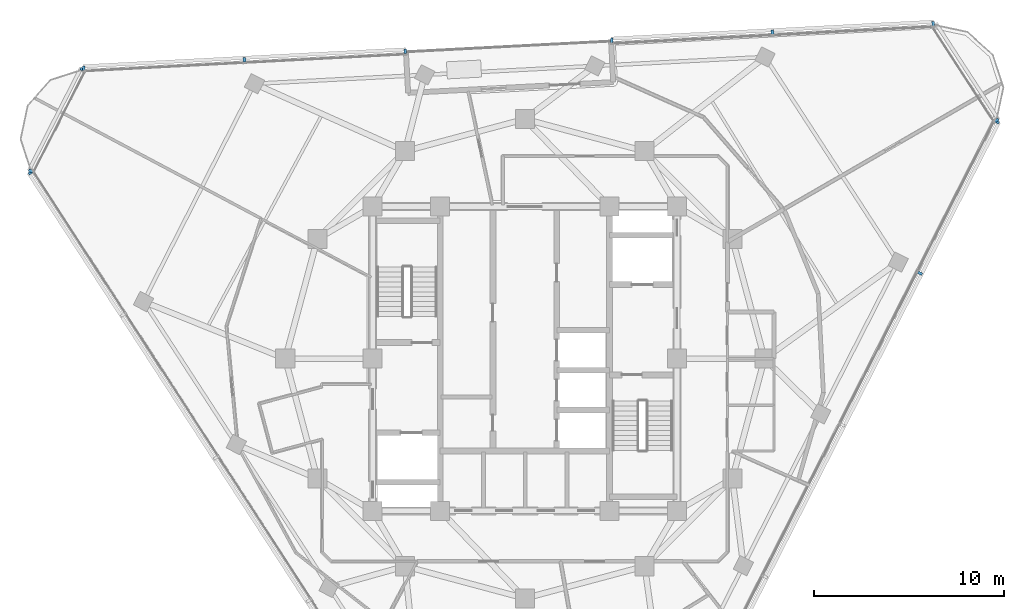
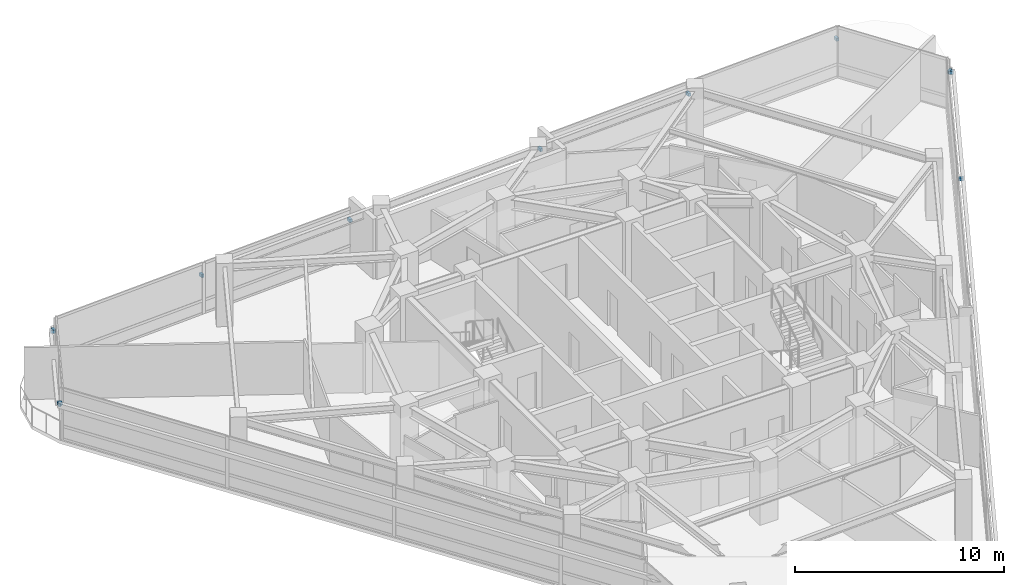
# One storey, part 11 of 15: 12 discrete accessories.
"""IFC4 building model written with IfcOpenShell, lengths in metres."""

from ifc_helpers import new_model, si_unit, direction, frame, origin, origin_2d, place, context, subcontext, project, spatial, rectangle, extrude, material, type_object, element, save


model = new_model("IFC4")

# Units and contexts
model_context = context("Model", 3, precision=1e-05, world=origin(), true_north=direction((0.0, 1.0)))
body_context = subcontext(model_context, "Body", "Model", "MODEL_VIEW")
ifc_project = project(units=[si_unit("LENGTHUNIT", "METRE"), si_unit("AREAUNIT", "SQUARE_METRE"), si_unit("VOLUMEUNIT", "CUBIC_METRE"), si_unit("PLANEANGLEUNIT", "RADIAN"), si_unit("MASSUNIT", "GRAM", prefix="KILO")], contexts=[model_context])

# Site, building, storey
site_placement = place(None, origin())
site = spatial("IfcSite", under=ifc_project, at=site_placement, CompositionType="ELEMENT")
building_placement = place(site_placement, origin())
building = spatial("IfcBuilding", under=site, at=building_placement, Name="Terralouvre Media Tower", CompositionType="ELEMENT")
storey_placement = place(building_placement, frame((0.0, 0.0, 270.699951171875)))
storey = spatial("IfcBuildingStorey", under=building, at=storey_placement, Name="L70", CompositionType="ELEMENT", Elevation=270.699951171875)

# Discrete accessories
ifc_material = material(Name="Anodised extruded aluminium 6063-T6", Category="aluminium")
discrete_accessory_type = type_object("IfcDiscreteAccessoryType", Name="Mullion Stand-Off Baguette Fixing Bracket BK-01", PredefinedType="BRACKET", material=ifc_material)
for number, where, z_axis, x_axis, name in (
    (1, (20.77880859375, 4.49658203125, 2.07421875), (0.0, 0.0, 1.0), (0.45399044259, 0.891006553308, 0.0), "CW-L70-F0 Baguette Outrigger Bracket 1.05"),
    (2, (24.82958984375, 12.44677734375, 2.07421875), (0.0, 0.0, 1.0), (0.45399044259, 0.891006553308, 0.0), "CW-L70-F0 Baguette Outrigger Bracket 1.06"),
    (3, (21.4697265625, 17.620361328125, 2.07421875), (0.0, 0.0, 1.0), (-0.998629509147, -0.052336444858, 0.0), "CW-L70-F1L Baguette Outrigger Bracket 1.01"),
    (4, (13.018798828125, 17.177490234375, 2.07421875), (0.0, 0.0, 1.0), (-0.998629509147, -0.052336444858, 0.0), "CW-L70-F1L Baguette Outrigger Bracket 1.02"),
    (5, (4.56787109375, 16.734619140625, 2.07421875), (0.0, 0.0, 1.0), (-0.998629509147, -0.052336444858, 0.0), "CW-L70-F1L Baguette Outrigger Bracket 1.03"),
    (6, (-6.292236328125, 16.16552734375, 2.07421875), (0.0, 0.0, 1.0), (-0.998629536668, -0.052335919728, 0.0), "CW-L70-F1R Baguette Outrigger Bracket 1.01"),
    (7, (-14.7431640625, 15.72265625, 2.07421875), (0.0, 0.0, 1.0), (-0.998629536668, -0.052335919728, 0.0), "CW-L70-F1R Baguette Outrigger Bracket 1.02"),
    (8, (-23.194091796875, 15.27978515625, 2.07421875), (0.0, 0.0, 1.0), (-0.998629536668, -0.052335919728, 0.0), "CW-L70-F1R Baguette Outrigger Bracket 1.03"),
    (9, (-25.99462890625, 9.783203125, 2.07421875), (0.0, 0.0, 1.0), (0.544639069077, -0.838670545826, 0.0), "CW-L70-F2 Baguette Outrigger Bracket 1.01"),
    (10, (24.807373046875, 12.54052734375, 2.07421875), (0.0, 0.0, 1.0), (-0.544639197097, 0.838670462688, 0.0), "CW-L70-C1 Baguette Outrigger Bracket 1.01"),
    (11, (-23.26416015625, 15.21337890625, 2.07421875), (0.0, 0.0, 1.0), (-0.453990349937, -0.891006600517, 0.0), "CW-L70-C2 Baguette Outrigger Bracket 1.01"),
    (12, (-25.982177734375, 9.87890625, 2.07421875), (0.0, 0.0, 1.0), (-0.453990349937, -0.891006600517, 0.0), "CW-L70-C2 Baguette Outrigger Bracket 1.02"),
):
    element("IfcDiscreteAccessory", number, at=place(storey_placement, frame(where, z_axis=z_axis, x_axis=x_axis)), inside=storey, type_object=discrete_accessory_type, Name=name, PredefinedType="BRACKET", context=body_context, shape_type="SweptSolid", body=[
        extrude(rectangle(XDim=0.139892578125, YDim=0.239990234375, at=origin_2d()), origin(), (0.0, 0.0, 1.0), 0.179931640625),
    ])

save(model, "model.ifc")
